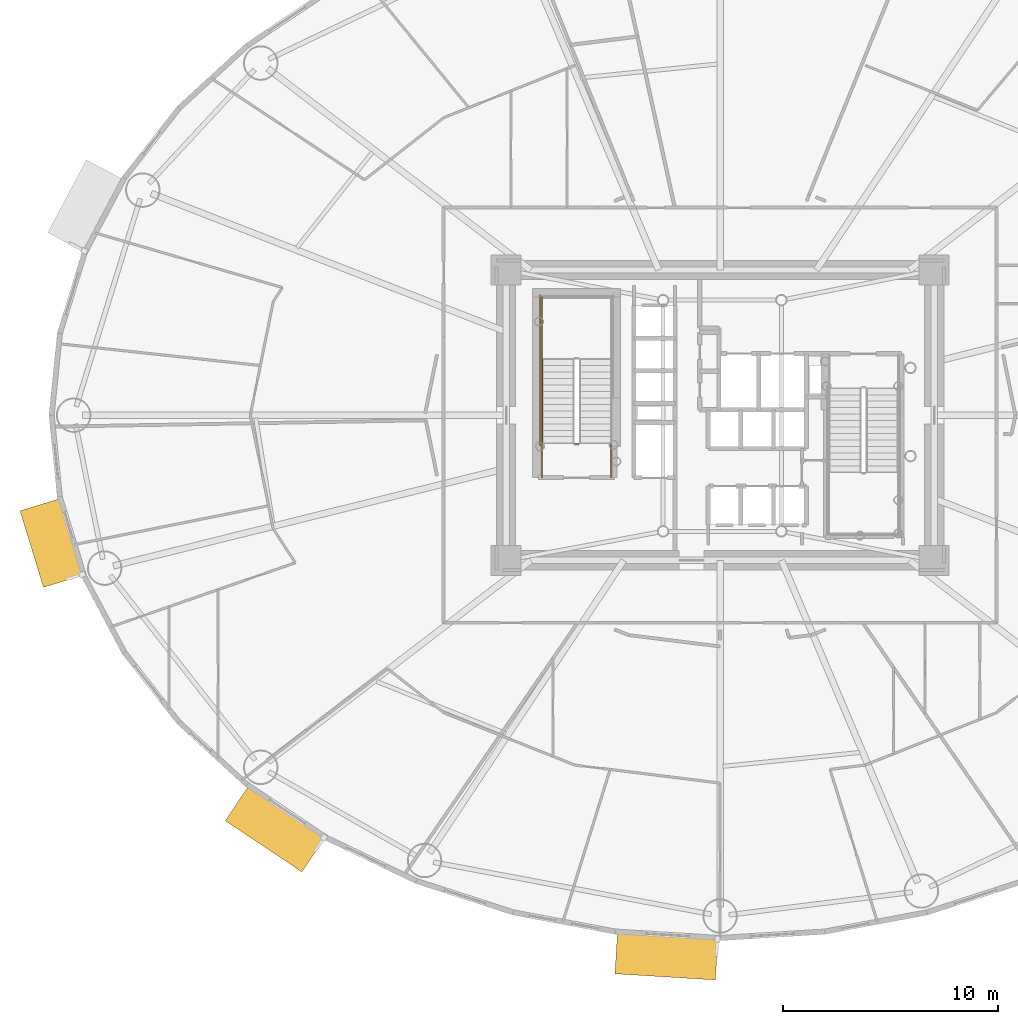
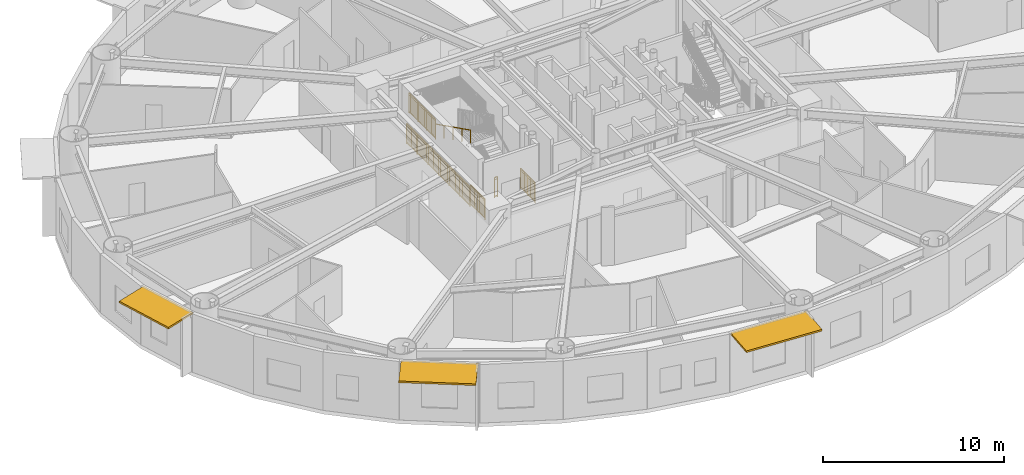
# One storey, part 15 of 21: 6 railings, 3 shading devices.
"""IFC4 building model written with IfcOpenShell, lengths in metres."""

import ifcopenshell
import ifcopenshell.guid

model = None  # the IFC model being written
_history = None  # IfcOwnerHistory: only IFC2X3 demands one
_inside = {}  # id of a spatial element -> (the spatial element, [elements in it])
_under = {}  # id of a project, library or spatial element -> (it, [spatial elements below it])
_declared = {}  # id of a project -> (the project, [libraries it declares])
_typed = {}  # id of a type object -> (the type object, [elements of that type])
_made_of = {}  # id of a material, layer set ... -> (it, [elements and type objects made of it])


def new_model(schema):
    """Start an empty IFC model of exactly this schema.

    Asked for "IFC4X3", IfcOpenShell would pick the latest addendum, in which some entities
    have other attributes; the version numbers below select the first issue.
    IFC2X3 requires an IfcOwnerHistory on every rooted entity: one is made here for all.
    """
    global model, _history
    if schema == "IFC4X3":
        model = ifcopenshell.file(schema_version=(4, 3, 0, 0))
    else:
        model = ifcopenshell.file(schema=schema)
    _inside.clear()
    _under.clear()
    _declared.clear()
    _typed.clear()
    _made_of.clear()
    _history = None
    if model.schema == "IFC2X3":
        org = make("IfcOrganization", Name="unknown")
        user = make(
            "IfcPersonAndOrganization",
            ThePerson=make("IfcPerson", FamilyName="unknown"),
            TheOrganization=org,
        )
        app = make(
            "IfcApplication",
            ApplicationDeveloper=org,
            Version="unknown",
            ApplicationFullName="unknown",
            ApplicationIdentifier="unknown",
        )
        _history = make(
            "IfcOwnerHistory",
            OwningUser=user,
            OwningApplication=app,
            ChangeAction="ADDED",
            CreationDate=0,
        )
    return model


def make(cls, **values):
    """One entity of the class cls with the attributes given. An attribute that is None is left unset."""
    return model.create_entity(
        cls, **{name: value for name, value in values.items() if value is not None}
    )


def rooted(cls, **values):
    """An entity with a GlobalId (a new one), such as an element, a storey or a relation."""
    return make(cls, GlobalId=ifcopenshell.guid.new(), OwnerHistory=_history, **values)


def si_unit(unit_type, name, prefix=None):
    """IfcSIUnit, for example si_unit("LENGTHUNIT", "METRE", prefix="MILLI")."""
    return make("IfcSIUnit", UnitType=unit_type, Prefix=prefix, Name=name)


def assignment(units):
    """IfcUnitAssignment: the units of a project."""
    return None if units is None else make("IfcUnitAssignment", Units=units)


def point(xyz):
    """IfcCartesianPoint."""
    return None if xyz is None else make("IfcCartesianPoint", Coordinates=xyz)


def direction(xyz):
    """IfcDirection."""
    return None if xyz is None else make("IfcDirection", DirectionRatios=xyz)


def frame(location, z_axis=None, x_axis=None):
    """IfcAxis2Placement3D, a coordinate frame: its origin and axes. An axis left out is left unset."""
    return make(
        "IfcAxis2Placement3D",
        Location=point(location),
        Axis=direction(z_axis),
        RefDirection=direction(x_axis),
    )


def frame_2d(location, x_axis=None):
    """IfcAxis2Placement2D, a coordinate frame in the plane: its origin and x axis."""
    return make(
        "IfcAxis2Placement2D", Location=point(location), RefDirection=direction(x_axis)
    )


def origin():
    """The frame at (0, 0, 0) with its axes left unset."""
    return frame((0.0, 0.0, 0.0))


def origin_2d():
    """The frame at (0, 0) in the plane with its x axis left unset."""
    return frame_2d((0.0, 0.0))


def place(relative_to, where):
    """IfcLocalPlacement: puts the frame where relative to a parent placement (None: the world)."""
    return make(
        "IfcLocalPlacement", PlacementRelTo=relative_to, RelativePlacement=where
    )


def context(
    kind, dimensions, precision=None, world=None, true_north=None, identifier=None
):
    """IfcGeometricRepresentationContext, for example the 3D "Model" context."""
    return make(
        "IfcGeometricRepresentationContext",
        ContextIdentifier=identifier,
        ContextType=kind,
        CoordinateSpaceDimension=dimensions,
        Precision=precision,
        WorldCoordinateSystem=world,
        TrueNorth=true_north,
    )


def subcontext(parent, identifier, kind, view, scale=None):
    """IfcGeometricRepresentationSubContext, for example "Body" below "Model"."""
    return make(
        "IfcGeometricRepresentationSubContext",
        ContextIdentifier=identifier,
        ContextType=kind,
        ParentContext=parent,
        TargetScale=scale,
        TargetView=view,
    )


def project(units=None, contexts=None):
    """IfcProject with its units and contexts."""
    return rooted(
        "IfcProject",
        Name="project",
        RepresentationContexts=contexts,
        UnitsInContext=assignment(units),
    )


def spatial(cls, under=None, at=None, **own):
    """A site, building, storey or space (cls), placed at a placement, below another one or the project."""
    s = rooted(cls, ObjectPlacement=at, **own)
    if under is not None:
        _under.setdefault(under.id(), (under, []))[1].append(s)
    return s


def profile(cls, at=None, kind="AREA", **sizes):
    """A parametric profile (cls). Its sizes go by their IFC names, for example OverallWidth=200.0."""
    return make(cls, ProfileType=kind, Position=at, **sizes)


def rectangle(**sizes):
    """IfcRectangleProfileDef."""
    return profile("IfcRectangleProfileDef", **sizes)


def extrude(swept, where, along, depth):
    """IfcExtrudedAreaSolid: the profile swept, set in the frame where, extruded along a direction by depth."""
    return make(
        "IfcExtrudedAreaSolid",
        SweptArea=swept,
        Position=where,
        ExtrudedDirection=direction(along),
        Depth=depth,
    )


def shape(context_of_items, identifier, shape_type, items):
    """IfcShapeRepresentation: the items that make up one representation, for example the "Body"."""
    return make(
        "IfcShapeRepresentation",
        ContextOfItems=context_of_items,
        RepresentationIdentifier=identifier,
        RepresentationType=shape_type,
        Items=items,
    )


def source(mapping_origin, context_of_items, identifier, shape_type, items):
    """IfcRepresentationMap: a shape defined once, which mapped items show again and again."""
    return make(
        "IfcRepresentationMap",
        MappingOrigin=mapping_origin,
        MappedRepresentation=shape(context_of_items, identifier, shape_type, items),
    )


def transform(
    local_origin,
    x_axis=None,
    y_axis=None,
    z_axis=None,
    scale=None,
    scale2=None,
    scale3=None,
    uniform=True,
):
    """IfcCartesianTransformationOperator3D, or its non-uniform kind. x_axis, y_axis, z_axis: its Axis1, 2, 3."""
    if uniform:
        return make(
            "IfcCartesianTransformationOperator3D",
            Axis1=direction(x_axis),
            Axis2=direction(y_axis),
            LocalOrigin=point(local_origin),
            Scale=scale,
            Axis3=direction(z_axis),
        )
    return make(
        "IfcCartesianTransformationOperator3DnonUniform",
        Axis1=direction(x_axis),
        Axis2=direction(y_axis),
        LocalOrigin=point(local_origin),
        Scale=scale,
        Axis3=direction(z_axis),
        Scale2=scale2,
        Scale3=scale3,
    )


def mapped(mapping_source, mapping_target):
    """IfcMappedItem: shows the shape of a source again, moved by a transform."""
    return make(
        "IfcMappedItem", MappingSource=mapping_source, MappingTarget=mapping_target
    )


def material(Name=None, Category=None):
    """IfcMaterial."""
    return make("IfcMaterial", Name=Name, Category=Category)


def layer(
    of_material, thickness, ventilated=None, Name=None, Category=None, Priority=None
):
    """IfcMaterialLayer: one layer of a wall or slab, of a material (None: an air gap)."""
    return make(
        "IfcMaterialLayer",
        Material=of_material,
        LayerThickness=thickness,
        IsVentilated=ventilated,
        Name=Name,
        Category=Category,
        Priority=Priority,
    )


def layer_set(layers, Name=None):
    """IfcMaterialLayerSet."""
    return make("IfcMaterialLayerSet", MaterialLayers=layers, LayerSetName=Name)


def made_of(thing, what):
    """Note that an element or type object is made of a material, layer set ...; save() writes the relation."""
    if what is not None:
        _made_of.setdefault(what.id(), (what, []))[1].append(thing)
    return thing


def type_object(cls, material=None, **own):
    """A type object (cls), such as IfcWallType, which elements share."""
    return made_of(rooted(cls, **own), material)


def element(
    cls,
    number,
    at=None,
    inside=None,
    cuts=None,
    type_object=None,
    material=None,
    context=None,
    identifier="Body",
    shape_type=None,
    held_by="IfcProductDefinitionShape",
    body=None,
    shapes=None,
    **own,
):
    """One element of the class cls, such as IfcWall. Its Tag is "e" and its number.

    at: its placement. inside: the storey or other place that contains it. cuts: it is an
    opening in that element (IfcRelVoidsElement). A single representation is given by context,
    identifier, shape_type and body (its items); several are given by shapes. held_by: the class
    of the entity that holds the representations. save() writes the other relations.
    """
    e = rooted(cls, Tag="e%d" % number, ObjectPlacement=at, **own)
    if body is not None:
        shapes = [shape(context, identifier, shape_type, body)]
    if shapes is not None:
        e.Representation = make(held_by, Representations=shapes)
    if inside is not None:
        _inside.setdefault(inside.id(), (inside, []))[1].append(e)
    if cuts is not None:
        rooted(
            "IfcRelVoidsElement", RelatingBuildingElement=cuts, RelatedOpeningElement=e
        )
    if type_object is not None:
        _typed.setdefault(type_object.id(), (type_object, []))[1].append(e)
    return made_of(e, material)


def aggregate(whole, parts):
    """IfcRelAggregates: a whole, such as a stair, and the parts it consists of."""
    return rooted("IfcRelAggregates", RelatingObject=whole, RelatedObjects=parts)


def save(model, path):
    """Write the relations noted so far, then the file.

    IfcRelAggregates (storeys below a building ...), IfcRelContainedInSpatialStructure (elements
    in a storey), IfcRelDefinesByType, IfcRelAssociatesMaterial and IfcRelDeclares: one each for
    every whole, place, type object, material and project.
    """
    for whole, parts in _under.values():
        aggregate(whole, parts)
    for where, things in _inside.values():
        rooted(
            "IfcRelContainedInSpatialStructure",
            RelatedElements=things,
            RelatingStructure=where,
        )
    for kind, things in _typed.values():
        rooted("IfcRelDefinesByType", RelatedObjects=things, RelatingType=kind)
    for what, things in _made_of.values():
        rooted("IfcRelAssociatesMaterial", RelatedObjects=things, RelatingMaterial=what)
    for by, libraries in _declared.values():
        rooted("IfcRelDeclares", RelatingContext=by, RelatedDefinitions=libraries)
    model.write(path)


model = new_model("IFC4")

# Units and contexts
model_context = context("Model", 3, precision=1e-05, world=origin(), true_north=direction((0.0, 1.0)))
body_context = subcontext(model_context, "Body", "Model", "MODEL_VIEW")
ifc_project = project(units=[si_unit("LENGTHUNIT", "METRE"), si_unit("AREAUNIT", "SQUARE_METRE"), si_unit("VOLUMEUNIT", "CUBIC_METRE"), si_unit("PLANEANGLEUNIT", "RADIAN"), si_unit("MASSUNIT", "GRAM", prefix="KILO")], contexts=[model_context])

# Site, building, storey
site_placement = place(None, origin())
site = spatial("IfcSite", under=ifc_project, at=site_placement, CompositionType="ELEMENT")
building_placement = place(site_placement, origin())
building = spatial("IfcBuilding", under=site, at=building_placement, Name="Linh Dai School and Residence Tower", CompositionType="ELEMENT")
storey_placement = place(building_placement, frame((0.0, 0.0, 78.60009765625)))
storey = spatial("IfcBuildingStorey", under=building, at=storey_placement, Name="L18", CompositionType="ELEMENT", Elevation=78.60009765625)

# Shading devices
ifc_material_1 = material(Name="Terracotta Ceramic Sunshade", Category="masonry")
ifc_layer = layer(ifc_material_1, 0.1201171875)
ifc_layer_set = layer_set([ifc_layer], Name="Terracotta Ceramic Sunshade")
shading_device_type = type_object("IfcShadingDeviceType", Name="SHD-TC-2000", PredefinedType="USERDEFINED", material=ifc_layer_set)
shared_shape_1 = source(origin(), body_context, "Body", "SweptSolid", [
    extrude(rectangle(XDim=3.7197265625, YDim=2.0, at=origin_2d()), origin(), (0.0, 0.0, 1.0), 0.1201171875),
])
shading_device_1_placement = place(storey_placement, frame((4.956787109375, 21.0693359375, 3.809814453125), z_axis=(0.0, 0.0, 1.0), x_axis=(-0.293145733514, 0.956067769001, 0.0)))
element("IfcShadingDevice", 1, at=shading_device_1_placement, inside=storey, type_object=shading_device_type, Name="L18 Terracotta Horizontal Sunshade Band 22", ObjectType="SUNSHADE", PredefinedType="USERDEFINED", context=body_context, shape_type="MappedRepresentation", body=[
    mapped(shared_shape_1, transform((0.0, 0.0, 0.0), x_axis=(1.0, 0.0, 0.0), y_axis=(0.0, 1.0, 0.0), z_axis=(0.0, 0.0, 1.0), scale=1.0)),
])
shared_shape_2 = source(origin(), body_context, "Body", "SweptSolid", [
    extrude(rectangle(XDim=4.28173828125, YDim=2.0, at=origin_2d()), origin(), (0.0, 0.0, 1.0), 0.1201171875),
])
shading_device_2_placement = place(storey_placement, frame((15.33544921875, 7.7861328125, 3.809814453125), z_axis=(0.0, 0.0, 1.0), x_axis=(-0.831250578927, 0.555897899828, 0.0)))
element("IfcShadingDevice", 2, at=shading_device_2_placement, inside=storey, type_object=shading_device_type, Name="L18 Terracotta Horizontal Sunshade Band 26", ObjectType="SUNSHADE", PredefinedType="USERDEFINED", context=body_context, shape_type="MappedRepresentation", body=[
    mapped(shared_shape_2, transform((0.0, 0.0, 0.0), x_axis=(1.0, 0.0, 0.0), y_axis=(0.0, 1.0, 0.0), z_axis=(0.0, 0.0, 1.0), scale=1.0)),
])
shared_shape_3 = source(origin(), body_context, "Body", "SweptSolid", [
    extrude(rectangle(XDim=4.6796875, YDim=2.0, at=origin_2d()), origin(), (0.0, 0.0, 1.0), 0.1201171875),
])
shading_device_3_placement = place(storey_placement, frame((33.50830078125, 1.88671875, 3.809814453125), z_axis=(0.0, 0.0, 1.0), x_axis=(-0.998106677027, 0.061506595367, 0.0)))
element("IfcShadingDevice", 3, at=shading_device_3_placement, inside=storey, type_object=shading_device_type, Name="L18 Terracotta Horizontal Sunshade Band 30", ObjectType="SUNSHADE", PredefinedType="USERDEFINED", context=body_context, shape_type="MappedRepresentation", body=[
    mapped(shared_shape_3, transform((0.0, 0.0, 0.0), x_axis=(1.0, 0.0, 0.0), y_axis=(0.0, 1.0, 0.0), z_axis=(0.0, 0.0, 1.0), scale=1.0)),
])

# Railings
ifc_material_2 = material(Name="Structural Steel S355JR", Category="steel")
railing_type_1 = type_object("IfcRailingType", Name="RL-ST-GUARD-1400", PredefinedType="GUARDRAIL", material=ifc_material_2)
shared_shape_4 = source(origin(), body_context, "Body", "SweptSolid", [
    extrude(rectangle(XDim=0.048095703125, YDim=0.048095703125, at=origin_2d()), frame((0.0, 0.0, 1.3759765625), z_axis=(-1.0, 0.0, 0.0), x_axis=(0.0, -1.0, 0.0)), (0.0, 0.0, 1.0), 0.199951171875),
    extrude(rectangle(XDim=0.048095703125, YDim=0.048095703125, at=origin_2d()), frame((0.0, 0.0, 0.10009765625), z_axis=(-1.0, 0.0, 0.0), x_axis=(0.0, -1.0, 0.0)), (0.0, 0.0, 1.0), 0.199951171875),
    extrude(rectangle(XDim=0.030029296875, YDim=0.030029296875, at=origin_2d()), frame((0.0, 0.0, 1.239990234375), z_axis=(-1.0, 0.0, 0.0), x_axis=(0.0, -1.0, 0.0)), (0.0, 0.0, 1.0), 0.199951171875),
    extrude(rectangle(XDim=0.0419921875, YDim=0.0419921875, at=origin_2d()), origin(), (0.0, 0.0, 1.0), 1.3759765625),
    extrude(rectangle(XDim=0.0419921875, YDim=0.0419921875, at=origin_2d()), frame((-0.199951171875, 0.0, 0.0)), (0.0, 0.0, 1.0), 1.3759765625),
])
railing_1_placement = place(storey_placement, frame((29.429931640625, 25.64990234375, 0.0)))
element("IfcRailing", 4, at=railing_1_placement, inside=storey, type_object=railing_type_1, Name="L18 ST1 stair guard 7", PredefinedType="GUARDRAIL", context=body_context, shape_type="MappedRepresentation", body=[
    mapped(shared_shape_4, transform((0.0, 0.0, 0.0), x_axis=(1.0, 0.0, 0.0), y_axis=(0.0, 1.0, 0.0), z_axis=(0.0, 0.0, 1.0), scale=1.0)),
])
shared_shape_5 = source(origin(), body_context, "Body", "SweptSolid", [
    extrude(rectangle(XDim=0.048095703125, YDim=0.048095703125, at=origin_2d()), frame((0.0, 0.0, 1.3759765625), z_axis=(0.0, 1.0, 0.0), x_axis=(-1.0, 0.0, 0.0)), (0.0, 0.0, 1.0), 1.599853515625),
    extrude(rectangle(XDim=0.048095703125, YDim=0.048095703125, at=origin_2d()), frame((0.0, 0.0, 0.10009765625), z_axis=(0.0, 1.0, 0.0), x_axis=(-1.0, 0.0, 0.0)), (0.0, 0.0, 1.0), 1.599853515625),
    extrude(rectangle(XDim=0.030029296875, YDim=0.030029296875, at=origin_2d()), frame((0.0, 0.0, 1.239990234375), z_axis=(0.0, 1.0, 0.0), x_axis=(-1.0, 0.0, 0.0)), (0.0, 0.0, 1.0), 1.599853515625),
    extrude(rectangle(XDim=0.02001953125, YDim=0.02001953125, at=origin_2d()), frame((0.0, 0.093994140625, 0.10009765625)), (0.0, 0.0, 1.0), 1.251708984375),
    extrude(rectangle(XDim=0.02001953125, YDim=0.02001953125, at=origin_2d()), frame((0.0, 0.188232421875, 0.10009765625)), (0.0, 0.0, 1.0), 1.251708984375),
    extrude(rectangle(XDim=0.02001953125, YDim=0.02001953125, at=origin_2d()), frame((0.0, 0.2822265625, 0.10009765625)), (0.0, 0.0, 1.0), 1.251708984375),
    extrude(rectangle(XDim=0.02001953125, YDim=0.02001953125, at=origin_2d()), frame((0.0, 0.37646484375, 0.10009765625)), (0.0, 0.0, 1.0), 1.251708984375),
    extrude(rectangle(XDim=0.02001953125, YDim=0.02001953125, at=origin_2d()), frame((0.0, 0.470458984375, 0.10009765625)), (0.0, 0.0, 1.0), 1.251708984375),
    extrude(rectangle(XDim=0.02001953125, YDim=0.02001953125, at=origin_2d()), frame((0.0, 0.564697265625, 0.10009765625)), (0.0, 0.0, 1.0), 1.251708984375),
    extrude(rectangle(XDim=0.02001953125, YDim=0.02001953125, at=origin_2d()), frame((0.0, 0.65869140625, 0.10009765625)), (0.0, 0.0, 1.0), 1.251708984375),
    extrude(rectangle(XDim=0.02001953125, YDim=0.02001953125, at=origin_2d()), frame((0.0, 0.7529296875, 0.10009765625)), (0.0, 0.0, 1.0), 1.251708984375),
    extrude(rectangle(XDim=0.02001953125, YDim=0.02001953125, at=origin_2d()), frame((0.0, 0.846923828125, 0.10009765625)), (0.0, 0.0, 1.0), 1.251708984375),
    extrude(rectangle(XDim=0.02001953125, YDim=0.02001953125, at=origin_2d()), frame((0.0, 0.941162109375, 0.10009765625)), (0.0, 0.0, 1.0), 1.251708984375),
    extrude(rectangle(XDim=0.02001953125, YDim=0.02001953125, at=origin_2d()), frame((0.0, 1.03515625, 0.10009765625)), (0.0, 0.0, 1.0), 1.251708984375),
    extrude(rectangle(XDim=0.02001953125, YDim=0.02001953125, at=origin_2d()), frame((0.0, 1.12939453125, 0.10009765625)), (0.0, 0.0, 1.0), 1.251708984375),
    extrude(rectangle(XDim=0.02001953125, YDim=0.02001953125, at=origin_2d()), frame((0.0, 1.223388671875, 0.10009765625)), (0.0, 0.0, 1.0), 1.251708984375),
    extrude(rectangle(XDim=0.02001953125, YDim=0.02001953125, at=origin_2d()), frame((0.0, 1.317626953125, 0.10009765625)), (0.0, 0.0, 1.0), 1.251708984375),
    extrude(rectangle(XDim=0.02001953125, YDim=0.02001953125, at=origin_2d()), frame((0.0, 1.41162109375, 0.10009765625)), (0.0, 0.0, 1.0), 1.251708984375),
    extrude(rectangle(XDim=0.02001953125, YDim=0.02001953125, at=origin_2d()), frame((0.0, 1.505859375, 0.10009765625)), (0.0, 0.0, 1.0), 1.251708984375),
    extrude(rectangle(XDim=0.0419921875, YDim=0.0419921875, at=origin_2d()), origin(), (0.0, 0.0, 1.0), 1.3759765625),
    extrude(rectangle(XDim=0.0419921875, YDim=0.0419921875, at=origin_2d()), frame((0.0, 0.7998046875, 0.0)), (0.0, 0.0, 1.0), 1.3759765625),
    extrude(rectangle(XDim=0.0419921875, YDim=0.0419921875, at=origin_2d()), frame((0.0, 1.599853515625, 0.0)), (0.0, 0.0, 1.0), 1.3759765625),
])
for number, where, name in (
    (5, (30.929931640625, 24.10009765625, 0.0), "L18 ST1 stair guard 8"),
    (6, (27.72998046875, 24.10009765625, 0.0), "L18 ST1 stair guard 9"),
):
    element("IfcRailing", number, at=place(storey_placement, frame(where)), inside=storey, type_object=railing_type_1, Name=name, PredefinedType="GUARDRAIL", context=body_context, shape_type="MappedRepresentation", body=[
        mapped(shared_shape_5, transform((0.0, 0.0, 0.0), x_axis=(1.0, 0.0, 0.0), y_axis=(0.0, 1.0, 0.0), z_axis=(0.0, 0.0, 1.0), scale=1.0)),
    ])
shared_shape_6 = source(origin(), body_context, "Body", "SweptSolid", [
    extrude(rectangle(XDim=0.048095703125, YDim=0.048095703125, at=origin_2d()), frame((0.0, 0.0, 1.3759765625), z_axis=(0.0, 1.0, 0.0), x_axis=(-1.0, 0.0, 0.0)), (0.0, 0.0, 1.0), 7.0),
    extrude(rectangle(XDim=0.048095703125, YDim=0.048095703125, at=origin_2d()), frame((0.0, 0.0, 0.10009765625), z_axis=(0.0, 1.0, 0.0), x_axis=(-1.0, 0.0, 0.0)), (0.0, 0.0, 1.0), 7.0),
    extrude(rectangle(XDim=0.030029296875, YDim=0.030029296875, at=origin_2d()), frame((0.0, 0.0, 1.239990234375), z_axis=(0.0, 1.0, 0.0), x_axis=(-1.0, 0.0, 0.0)), (0.0, 0.0, 1.0), 7.0),
    extrude(rectangle(XDim=0.02001953125, YDim=0.02001953125, at=origin_2d()), frame((0.0, 0.09716796875, 0.10009765625)), (0.0, 0.0, 1.0), 1.251708984375),
    extrude(rectangle(XDim=0.02001953125, YDim=0.02001953125, at=origin_2d()), frame((0.0, 0.1943359375, 0.10009765625)), (0.0, 0.0, 1.0), 1.251708984375),
    extrude(rectangle(XDim=0.02001953125, YDim=0.02001953125, at=origin_2d()), frame((0.0, 0.291748046875, 0.10009765625)), (0.0, 0.0, 1.0), 1.251708984375),
    extrude(rectangle(XDim=0.02001953125, YDim=0.02001953125, at=origin_2d()), frame((0.0, 0.388916015625, 0.10009765625)), (0.0, 0.0, 1.0), 1.251708984375),
    extrude(rectangle(XDim=0.02001953125, YDim=0.02001953125, at=origin_2d()), frame((0.0, 0.486083984375, 0.10009765625)), (0.0, 0.0, 1.0), 1.251708984375),
    extrude(rectangle(XDim=0.02001953125, YDim=0.02001953125, at=origin_2d()), frame((0.0, 0.583251953125, 0.10009765625)), (0.0, 0.0, 1.0), 1.251708984375),
    extrude(rectangle(XDim=0.02001953125, YDim=0.02001953125, at=origin_2d()), frame((0.0, 0.6806640625, 0.10009765625)), (0.0, 0.0, 1.0), 1.251708984375),
    extrude(rectangle(XDim=0.02001953125, YDim=0.02001953125, at=origin_2d()), frame((0.0, 0.77783203125, 0.10009765625)), (0.0, 0.0, 1.0), 1.251708984375),
    extrude(rectangle(XDim=0.02001953125, YDim=0.02001953125, at=origin_2d()), frame((0.0, 0.875, 0.10009765625)), (0.0, 0.0, 1.0), 1.251708984375),
    extrude(rectangle(XDim=0.02001953125, YDim=0.02001953125, at=origin_2d()), frame((0.0, 0.97216796875, 0.10009765625)), (0.0, 0.0, 1.0), 1.251708984375),
    extrude(rectangle(XDim=0.02001953125, YDim=0.02001953125, at=origin_2d()), frame((0.0, 1.0693359375, 0.10009765625)), (0.0, 0.0, 1.0), 1.251708984375),
    extrude(rectangle(XDim=0.02001953125, YDim=0.02001953125, at=origin_2d()), frame((0.0, 1.263916015625, 0.10009765625)), (0.0, 0.0, 1.0), 1.251708984375),
    extrude(rectangle(XDim=0.02001953125, YDim=0.02001953125, at=origin_2d()), frame((0.0, 1.361083984375, 0.10009765625)), (0.0, 0.0, 1.0), 1.251708984375),
    extrude(rectangle(XDim=0.02001953125, YDim=0.02001953125, at=origin_2d()), frame((0.0, 1.458251953125, 0.10009765625)), (0.0, 0.0, 1.0), 1.251708984375),
    extrude(rectangle(XDim=0.02001953125, YDim=0.02001953125, at=origin_2d()), frame((0.0, 1.5556640625, 0.10009765625)), (0.0, 0.0, 1.0), 1.251708984375),
    extrude(rectangle(XDim=0.02001953125, YDim=0.02001953125, at=origin_2d()), frame((0.0, 1.65283203125, 0.10009765625)), (0.0, 0.0, 1.0), 1.251708984375),
    extrude(rectangle(XDim=0.02001953125, YDim=0.02001953125, at=origin_2d()), frame((0.0, 1.75, 0.10009765625)), (0.0, 0.0, 1.0), 1.251708984375),
    extrude(rectangle(XDim=0.02001953125, YDim=0.02001953125, at=origin_2d()), frame((0.0, 1.84716796875, 0.10009765625)), (0.0, 0.0, 1.0), 1.251708984375),
    extrude(rectangle(XDim=0.02001953125, YDim=0.02001953125, at=origin_2d()), frame((0.0, 1.9443359375, 0.10009765625)), (0.0, 0.0, 1.0), 1.251708984375),
    extrude(rectangle(XDim=0.02001953125, YDim=0.02001953125, at=origin_2d()), frame((0.0, 2.041748046875, 0.10009765625)), (0.0, 0.0, 1.0), 1.251708984375),
    extrude(rectangle(XDim=0.02001953125, YDim=0.02001953125, at=origin_2d()), frame((0.0, 2.138916015625, 0.10009765625)), (0.0, 0.0, 1.0), 1.251708984375),
    extrude(rectangle(XDim=0.02001953125, YDim=0.02001953125, at=origin_2d()), frame((0.0, 2.236083984375, 0.10009765625)), (0.0, 0.0, 1.0), 1.251708984375),
    extrude(rectangle(XDim=0.02001953125, YDim=0.02001953125, at=origin_2d()), frame((0.0, 2.4306640625, 0.10009765625)), (0.0, 0.0, 1.0), 1.251708984375),
    extrude(rectangle(XDim=0.02001953125, YDim=0.02001953125, at=origin_2d()), frame((0.0, 2.52783203125, 0.10009765625)), (0.0, 0.0, 1.0), 1.251708984375),
    extrude(rectangle(XDim=0.02001953125, YDim=0.02001953125, at=origin_2d()), frame((0.0, 2.625, 0.10009765625)), (0.0, 0.0, 1.0), 1.251708984375),
    extrude(rectangle(XDim=0.02001953125, YDim=0.02001953125, at=origin_2d()), frame((0.0, 2.72216796875, 0.10009765625)), (0.0, 0.0, 1.0), 1.251708984375),
    extrude(rectangle(XDim=0.02001953125, YDim=0.02001953125, at=origin_2d()), frame((0.0, 2.8193359375, 0.10009765625)), (0.0, 0.0, 1.0), 1.251708984375),
    extrude(rectangle(XDim=0.02001953125, YDim=0.02001953125, at=origin_2d()), frame((0.0, 2.916748046875, 0.10009765625)), (0.0, 0.0, 1.0), 1.251708984375),
    extrude(rectangle(XDim=0.02001953125, YDim=0.02001953125, at=origin_2d()), frame((0.0, 3.013916015625, 0.10009765625)), (0.0, 0.0, 1.0), 1.251708984375),
    extrude(rectangle(XDim=0.02001953125, YDim=0.02001953125, at=origin_2d()), frame((0.0, 3.111083984375, 0.10009765625)), (0.0, 0.0, 1.0), 1.251708984375),
    extrude(rectangle(XDim=0.02001953125, YDim=0.02001953125, at=origin_2d()), frame((0.0, 3.208251953125, 0.10009765625)), (0.0, 0.0, 1.0), 1.251708984375),
    extrude(rectangle(XDim=0.02001953125, YDim=0.02001953125, at=origin_2d()), frame((0.0, 3.3056640625, 0.10009765625)), (0.0, 0.0, 1.0), 1.251708984375),
    extrude(rectangle(XDim=0.02001953125, YDim=0.02001953125, at=origin_2d()), frame((0.0, 3.40283203125, 0.10009765625)), (0.0, 0.0, 1.0), 1.251708984375),
    extrude(rectangle(XDim=0.02001953125, YDim=0.02001953125, at=origin_2d()), frame((0.0, 3.59716796875, 0.10009765625)), (0.0, 0.0, 1.0), 1.251708984375),
    extrude(rectangle(XDim=0.02001953125, YDim=0.02001953125, at=origin_2d()), frame((0.0, 3.6943359375, 0.10009765625)), (0.0, 0.0, 1.0), 1.251708984375),
    extrude(rectangle(XDim=0.02001953125, YDim=0.02001953125, at=origin_2d()), frame((0.0, 3.791748046875, 0.10009765625)), (0.0, 0.0, 1.0), 1.251708984375),
    extrude(rectangle(XDim=0.02001953125, YDim=0.02001953125, at=origin_2d()), frame((0.0, 3.888916015625, 0.10009765625)), (0.0, 0.0, 1.0), 1.251708984375),
    extrude(rectangle(XDim=0.02001953125, YDim=0.02001953125, at=origin_2d()), frame((0.0, 3.986083984375, 0.10009765625)), (0.0, 0.0, 1.0), 1.251708984375),
    extrude(rectangle(XDim=0.02001953125, YDim=0.02001953125, at=origin_2d()), frame((0.0, 4.083251953125, 0.10009765625)), (0.0, 0.0, 1.0), 1.251708984375),
    extrude(rectangle(XDim=0.02001953125, YDim=0.02001953125, at=origin_2d()), frame((0.0, 4.1806640625, 0.10009765625)), (0.0, 0.0, 1.0), 1.251708984375),
    extrude(rectangle(XDim=0.02001953125, YDim=0.02001953125, at=origin_2d()), frame((0.0, 4.27783203125, 0.10009765625)), (0.0, 0.0, 1.0), 1.251708984375),
    extrude(rectangle(XDim=0.02001953125, YDim=0.02001953125, at=origin_2d()), frame((0.0, 4.375, 0.10009765625)), (0.0, 0.0, 1.0), 1.251708984375),
    extrude(rectangle(XDim=0.02001953125, YDim=0.02001953125, at=origin_2d()), frame((0.0, 4.47216796875, 0.10009765625)), (0.0, 0.0, 1.0), 1.251708984375),
    extrude(rectangle(XDim=0.02001953125, YDim=0.02001953125, at=origin_2d()), frame((0.0, 4.5693359375, 0.10009765625)), (0.0, 0.0, 1.0), 1.251708984375),
    extrude(rectangle(XDim=0.02001953125, YDim=0.02001953125, at=origin_2d()), frame((0.0, 4.763916015625, 0.10009765625)), (0.0, 0.0, 1.0), 1.251708984375),
    extrude(rectangle(XDim=0.02001953125, YDim=0.02001953125, at=origin_2d()), frame((0.0, 4.861083984375, 0.10009765625)), (0.0, 0.0, 1.0), 1.251708984375),
    extrude(rectangle(XDim=0.02001953125, YDim=0.02001953125, at=origin_2d()), frame((0.0, 4.958251953125, 0.10009765625)), (0.0, 0.0, 1.0), 1.251708984375),
    extrude(rectangle(XDim=0.02001953125, YDim=0.02001953125, at=origin_2d()), frame((0.0, 5.0556640625, 0.10009765625)), (0.0, 0.0, 1.0), 1.251708984375),
    extrude(rectangle(XDim=0.02001953125, YDim=0.02001953125, at=origin_2d()), frame((0.0, 5.15283203125, 0.10009765625)), (0.0, 0.0, 1.0), 1.251708984375),
    extrude(rectangle(XDim=0.02001953125, YDim=0.02001953125, at=origin_2d()), frame((0.0, 5.25, 0.10009765625)), (0.0, 0.0, 1.0), 1.251708984375),
    extrude(rectangle(XDim=0.02001953125, YDim=0.02001953125, at=origin_2d()), frame((0.0, 5.34716796875, 0.10009765625)), (0.0, 0.0, 1.0), 1.251708984375),
    extrude(rectangle(XDim=0.02001953125, YDim=0.02001953125, at=origin_2d()), frame((0.0, 5.4443359375, 0.10009765625)), (0.0, 0.0, 1.0), 1.251708984375),
    extrude(rectangle(XDim=0.02001953125, YDim=0.02001953125, at=origin_2d()), frame((0.0, 5.541748046875, 0.10009765625)), (0.0, 0.0, 1.0), 1.251708984375),
    extrude(rectangle(XDim=0.02001953125, YDim=0.02001953125, at=origin_2d()), frame((0.0, 5.638916015625, 0.10009765625)), (0.0, 0.0, 1.0), 1.251708984375),
    extrude(rectangle(XDim=0.02001953125, YDim=0.02001953125, at=origin_2d()), frame((0.0, 5.736083984375, 0.10009765625)), (0.0, 0.0, 1.0), 1.251708984375),
    extrude(rectangle(XDim=0.02001953125, YDim=0.02001953125, at=origin_2d()), frame((0.0, 5.9306640625, 0.10009765625)), (0.0, 0.0, 1.0), 1.251708984375),
    extrude(rectangle(XDim=0.02001953125, YDim=0.02001953125, at=origin_2d()), frame((0.0, 6.02783203125, 0.10009765625)), (0.0, 0.0, 1.0), 1.251708984375),
    extrude(rectangle(XDim=0.02001953125, YDim=0.02001953125, at=origin_2d()), frame((0.0, 6.125, 0.10009765625)), (0.0, 0.0, 1.0), 1.251708984375),
    extrude(rectangle(XDim=0.02001953125, YDim=0.02001953125, at=origin_2d()), frame((0.0, 6.22216796875, 0.10009765625)), (0.0, 0.0, 1.0), 1.251708984375),
    extrude(rectangle(XDim=0.02001953125, YDim=0.02001953125, at=origin_2d()), frame((0.0, 6.3193359375, 0.10009765625)), (0.0, 0.0, 1.0), 1.251708984375),
    extrude(rectangle(XDim=0.02001953125, YDim=0.02001953125, at=origin_2d()), frame((0.0, 6.416748046875, 0.10009765625)), (0.0, 0.0, 1.0), 1.251708984375),
    extrude(rectangle(XDim=0.02001953125, YDim=0.02001953125, at=origin_2d()), frame((0.0, 6.513916015625, 0.10009765625)), (0.0, 0.0, 1.0), 1.251708984375),
    extrude(rectangle(XDim=0.02001953125, YDim=0.02001953125, at=origin_2d()), frame((0.0, 6.611083984375, 0.10009765625)), (0.0, 0.0, 1.0), 1.251708984375),
    extrude(rectangle(XDim=0.02001953125, YDim=0.02001953125, at=origin_2d()), frame((0.0, 6.708251953125, 0.10009765625)), (0.0, 0.0, 1.0), 1.251708984375),
    extrude(rectangle(XDim=0.02001953125, YDim=0.02001953125, at=origin_2d()), frame((0.0, 6.8056640625, 0.10009765625)), (0.0, 0.0, 1.0), 1.251708984375),
    extrude(rectangle(XDim=0.02001953125, YDim=0.02001953125, at=origin_2d()), frame((0.0, 6.90283203125, 0.10009765625)), (0.0, 0.0, 1.0), 1.251708984375),
    extrude(rectangle(XDim=0.0419921875, YDim=0.0419921875, at=origin_2d()), origin(), (0.0, 0.0, 1.0), 1.3759765625),
    extrude(rectangle(XDim=0.0419921875, YDim=0.0419921875, at=origin_2d()), frame((0.0, 1.166748046875, 0.0)), (0.0, 0.0, 1.0), 1.3759765625),
    extrude(rectangle(XDim=0.0419921875, YDim=0.0419921875, at=origin_2d()), frame((0.0, 2.333251953125, 0.0)), (0.0, 0.0, 1.0), 1.3759765625),
    extrude(rectangle(XDim=0.0419921875, YDim=0.0419921875, at=origin_2d()), frame((0.0, 3.5, 0.0)), (0.0, 0.0, 1.0), 1.3759765625),
    extrude(rectangle(XDim=0.0419921875, YDim=0.0419921875, at=origin_2d()), frame((0.0, 4.666748046875, 0.0)), (0.0, 0.0, 1.0), 1.3759765625),
    extrude(rectangle(XDim=0.0419921875, YDim=0.0419921875, at=origin_2d()), frame((0.0, 5.833251953125, 0.0)), (0.0, 0.0, 1.0), 1.3759765625),
    extrude(rectangle(XDim=0.0419921875, YDim=0.0419921875, at=origin_2d()), frame((0.0, 7.0, 0.0)), (0.0, 0.0, 1.0), 1.3759765625),
])
railing_2_placement = place(storey_placement, frame((27.6298828125, 25.60009765625, 0.0)))
element("IfcRailing", 7, at=railing_2_placement, inside=storey, type_object=railing_type_1, Name="L18 ST1 stair guard 11", PredefinedType="GUARDRAIL", context=body_context, shape_type="MappedRepresentation", body=[
    mapped(shared_shape_6, transform((0.0, 0.0, 0.0), x_axis=(1.0, 0.0, 0.0), y_axis=(0.0, 1.0, 0.0), z_axis=(0.0, 0.0, 1.0), scale=1.0)),
])
shared_shape_7 = source(origin(), body_context, "Body", "SweptSolid", [
    extrude(rectangle(XDim=0.048095703125, YDim=0.048095703125, at=origin_2d()), frame((0.0, 0.0, 1.3759765625), z_axis=(0.0, 1.0, 0.0), x_axis=(-1.0, 0.0, 0.0)), (0.0, 0.0, 1.0), 2.89990234375),
    extrude(rectangle(XDim=0.048095703125, YDim=0.048095703125, at=origin_2d()), frame((0.0, 0.0, 0.10009765625), z_axis=(0.0, 1.0, 0.0), x_axis=(-1.0, 0.0, 0.0)), (0.0, 0.0, 1.0), 2.89990234375),
    extrude(rectangle(XDim=0.030029296875, YDim=0.030029296875, at=origin_2d()), frame((0.0, 0.0, 1.239990234375), z_axis=(0.0, 1.0, 0.0), x_axis=(-1.0, 0.0, 0.0)), (0.0, 0.0, 1.0), 2.89990234375),
    extrude(rectangle(XDim=0.02001953125, YDim=0.02001953125, at=origin_2d()), frame((0.0, 0.0966796875, 0.10009765625)), (0.0, 0.0, 1.0), 1.251708984375),
    extrude(rectangle(XDim=0.02001953125, YDim=0.02001953125, at=origin_2d()), frame((0.0, 0.193359375, 0.10009765625)), (0.0, 0.0, 1.0), 1.251708984375),
    extrude(rectangle(XDim=0.02001953125, YDim=0.02001953125, at=origin_2d()), frame((0.0, 0.2900390625, 0.10009765625)), (0.0, 0.0, 1.0), 1.251708984375),
    extrude(rectangle(XDim=0.02001953125, YDim=0.02001953125, at=origin_2d()), frame((0.0, 0.38671875, 0.10009765625)), (0.0, 0.0, 1.0), 1.251708984375),
    extrude(rectangle(XDim=0.02001953125, YDim=0.02001953125, at=origin_2d()), frame((0.0, 0.4833984375, 0.10009765625)), (0.0, 0.0, 1.0), 1.251708984375),
    extrude(rectangle(XDim=0.02001953125, YDim=0.02001953125, at=origin_2d()), frame((0.0, 0.580078125, 0.10009765625)), (0.0, 0.0, 1.0), 1.251708984375),
    extrude(rectangle(XDim=0.02001953125, YDim=0.02001953125, at=origin_2d()), frame((0.0, 0.6767578125, 0.10009765625)), (0.0, 0.0, 1.0), 1.251708984375),
    extrude(rectangle(XDim=0.02001953125, YDim=0.02001953125, at=origin_2d()), frame((0.0, 0.773193359375, 0.10009765625)), (0.0, 0.0, 1.0), 1.251708984375),
    extrude(rectangle(XDim=0.02001953125, YDim=0.02001953125, at=origin_2d()), frame((0.0, 0.869873046875, 0.10009765625)), (0.0, 0.0, 1.0), 1.251708984375),
    extrude(rectangle(XDim=0.02001953125, YDim=0.02001953125, at=origin_2d()), frame((0.0, 1.063232421875, 0.10009765625)), (0.0, 0.0, 1.0), 1.251708984375),
    extrude(rectangle(XDim=0.02001953125, YDim=0.02001953125, at=origin_2d()), frame((0.0, 1.159912109375, 0.10009765625)), (0.0, 0.0, 1.0), 1.251708984375),
    extrude(rectangle(XDim=0.02001953125, YDim=0.02001953125, at=origin_2d()), frame((0.0, 1.256591796875, 0.10009765625)), (0.0, 0.0, 1.0), 1.251708984375),
    extrude(rectangle(XDim=0.02001953125, YDim=0.02001953125, at=origin_2d()), frame((0.0, 1.353271484375, 0.10009765625)), (0.0, 0.0, 1.0), 1.251708984375),
    extrude(rectangle(XDim=0.02001953125, YDim=0.02001953125, at=origin_2d()), frame((0.0, 1.449951171875, 0.10009765625)), (0.0, 0.0, 1.0), 1.251708984375),
    extrude(rectangle(XDim=0.02001953125, YDim=0.02001953125, at=origin_2d()), frame((0.0, 1.546630859375, 0.10009765625)), (0.0, 0.0, 1.0), 1.251708984375),
    extrude(rectangle(XDim=0.02001953125, YDim=0.02001953125, at=origin_2d()), frame((0.0, 1.643310546875, 0.10009765625)), (0.0, 0.0, 1.0), 1.251708984375),
    extrude(rectangle(XDim=0.02001953125, YDim=0.02001953125, at=origin_2d()), frame((0.0, 1.739990234375, 0.10009765625)), (0.0, 0.0, 1.0), 1.251708984375),
    extrude(rectangle(XDim=0.02001953125, YDim=0.02001953125, at=origin_2d()), frame((0.0, 1.836669921875, 0.10009765625)), (0.0, 0.0, 1.0), 1.251708984375),
    extrude(rectangle(XDim=0.02001953125, YDim=0.02001953125, at=origin_2d()), frame((0.0, 2.030029296875, 0.10009765625)), (0.0, 0.0, 1.0), 1.251708984375),
    extrude(rectangle(XDim=0.02001953125, YDim=0.02001953125, at=origin_2d()), frame((0.0, 2.126708984375, 0.10009765625)), (0.0, 0.0, 1.0), 1.251708984375),
    extrude(rectangle(XDim=0.02001953125, YDim=0.02001953125, at=origin_2d()), frame((0.0, 2.22314453125, 0.10009765625)), (0.0, 0.0, 1.0), 1.251708984375),
    extrude(rectangle(XDim=0.02001953125, YDim=0.02001953125, at=origin_2d()), frame((0.0, 2.31982421875, 0.10009765625)), (0.0, 0.0, 1.0), 1.251708984375),
    extrude(rectangle(XDim=0.02001953125, YDim=0.02001953125, at=origin_2d()), frame((0.0, 2.41650390625, 0.10009765625)), (0.0, 0.0, 1.0), 1.251708984375),
    extrude(rectangle(XDim=0.02001953125, YDim=0.02001953125, at=origin_2d()), frame((0.0, 2.51318359375, 0.10009765625)), (0.0, 0.0, 1.0), 1.251708984375),
    extrude(rectangle(XDim=0.02001953125, YDim=0.02001953125, at=origin_2d()), frame((0.0, 2.60986328125, 0.10009765625)), (0.0, 0.0, 1.0), 1.251708984375),
    extrude(rectangle(XDim=0.02001953125, YDim=0.02001953125, at=origin_2d()), frame((0.0, 2.70654296875, 0.10009765625)), (0.0, 0.0, 1.0), 1.251708984375),
    extrude(rectangle(XDim=0.02001953125, YDim=0.02001953125, at=origin_2d()), frame((0.0, 2.80322265625, 0.10009765625)), (0.0, 0.0, 1.0), 1.251708984375),
    extrude(rectangle(XDim=0.0419921875, YDim=0.0419921875, at=origin_2d()), origin(), (0.0, 0.0, 1.0), 1.3759765625),
    extrude(rectangle(XDim=0.0419921875, YDim=0.0419921875, at=origin_2d()), frame((0.0, 0.966552734375, 0.0)), (0.0, 0.0, 1.0), 1.3759765625),
    extrude(rectangle(XDim=0.0419921875, YDim=0.0419921875, at=origin_2d()), frame((0.0, 1.933349609375, 0.0)), (0.0, 0.0, 1.0), 1.3759765625),
    extrude(rectangle(XDim=0.0419921875, YDim=0.0419921875, at=origin_2d()), frame((0.0, 2.89990234375, 0.0)), (0.0, 0.0, 1.0), 1.3759765625),
])
railing_3_placement = place(storey_placement, frame((27.72998046875, 29.60009765625, 2.099853515625)))
element("IfcRailing", 8, at=railing_3_placement, inside=storey, type_object=railing_type_1, Name="L18 ST1 stair guard 4", PredefinedType="GUARDRAIL", context=body_context, shape_type="MappedRepresentation", body=[
    mapped(shared_shape_7, transform((0.0, 0.0, 0.0), x_axis=(1.0, 0.0, 0.0), y_axis=(0.0, 1.0, 0.0), z_axis=(0.0, 0.0, 1.0), scale=1.0)),
])
ifc_material_3 = material(Name="Brushed Stainless Steel Handrail", Category="steel")
railing_type_2 = type_object("IfcRailingType", Name="RL-ST-HANDRAIL-900", PredefinedType="HANDRAIL", material=ifc_material_3)
shared_shape_8 = source(origin(), body_context, "Body", "SweptSolid", [
    extrude(rectangle(XDim=0.048095703125, YDim=0.048095703125, at=origin_2d()), frame((0.0, 0.0, 0.8759765625), z_axis=(0.0, -0.894438388696, 0.447191199406), x_axis=(1.0, 0.0, 0.0)), (0.0, 0.0, 1.0), 4.3603515625),
    extrude(rectangle(XDim=0.0419921875, YDim=0.0419921875, at=origin_2d()), origin(), (0.0, 0.0, 1.0), 0.8759765625),
    extrude(rectangle(XDim=0.0419921875, YDim=0.0419921875, at=origin_2d()), frame((0.0, -0.97509765625, 0.487548828125)), (0.0, 0.0, 1.0), 0.8759765625),
    extrude(rectangle(XDim=0.0419921875, YDim=0.0419921875, at=origin_2d()), frame((0.0, -1.9501953125, 0.97509765625)), (0.0, 0.0, 1.0), 0.8759765625),
    extrude(rectangle(XDim=0.0419921875, YDim=0.0419921875, at=origin_2d()), frame((0.0, -2.925048828125, 1.46240234375)), (0.0, 0.0, 1.0), 0.8759765625),
    extrude(rectangle(XDim=0.0419921875, YDim=0.0419921875, at=origin_2d()), frame((0.0, -3.900146484375, 1.949951171875)), (0.0, 0.0, 1.0), 0.8759765625),
])
railing_4_placement = place(storey_placement, frame((27.72998046875, 29.60009765625, 2.25)))
element("IfcRailing", 9, at=railing_4_placement, inside=storey, type_object=railing_type_2, Name="L18 ST1 stair handrail 2", PredefinedType="HANDRAIL", context=body_context, shape_type="MappedRepresentation", body=[
    mapped(shared_shape_8, transform((0.0, 0.0, 0.0), x_axis=(1.0, 0.0, 0.0), y_axis=(0.0, 1.0, 0.0), z_axis=(0.0, 0.0, 1.0), scale=1.0)),
])

save(model, "model.ifc")
